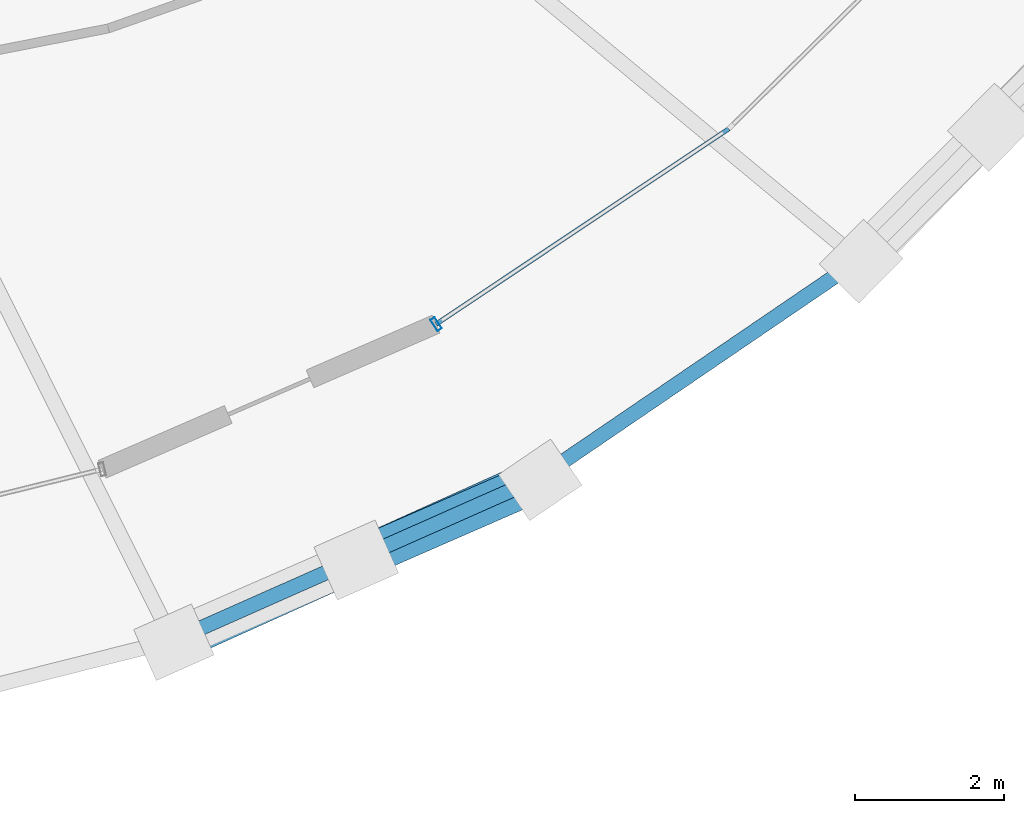
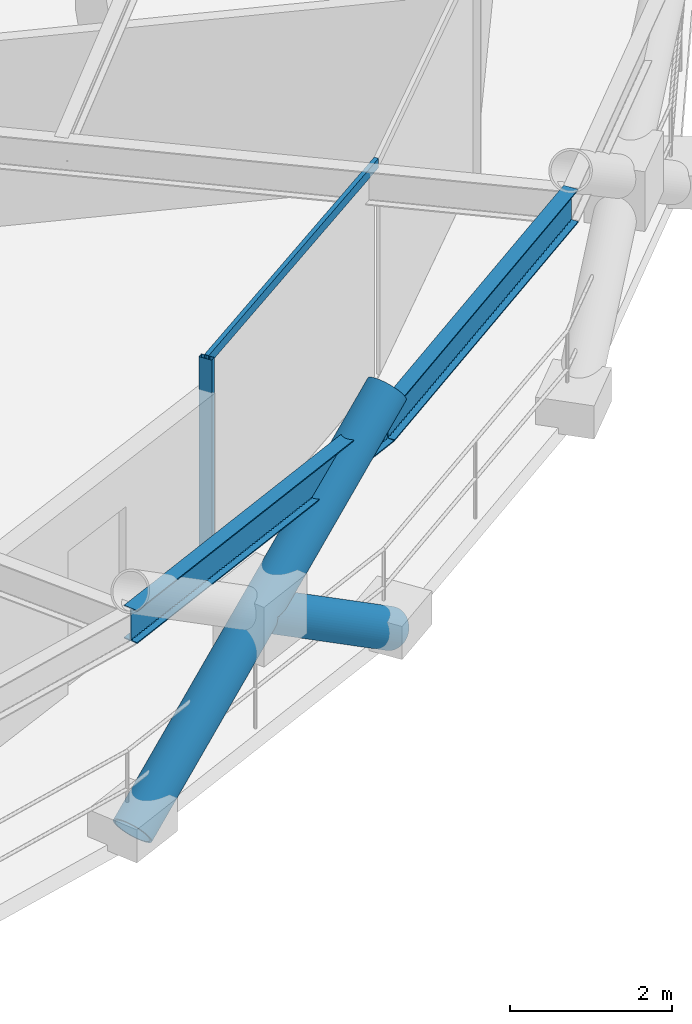
# One storey, part 5 of 21: 4 members, 2 beams, 1 element without a shape of its own.
"""IFC4 building model written with IfcOpenShell, lengths in metres."""

from ifc_helpers import new_model, si_unit, direction, frame, origin, origin_2d, place, context, subcontext, project, spatial, hollow_rectangle, hollow_circle, i_section, extrude, material, layer, layer_set, material_profile, profile_set, type_object, element, aggregate, save


model = new_model("IFC4")

# Units and contexts
model_context = context("Model", 3, precision=1e-05, world=origin(), true_north=direction((0.0, 1.0)))
body_context = subcontext(model_context, "Body", "Model", "MODEL_VIEW")
ifc_project = project(units=[si_unit("LENGTHUNIT", "METRE"), si_unit("AREAUNIT", "SQUARE_METRE"), si_unit("VOLUMEUNIT", "CUBIC_METRE"), si_unit("PLANEANGLEUNIT", "RADIAN"), si_unit("MASSUNIT", "GRAM", prefix="KILO")], contexts=[model_context])

# Site, building, storey
site_placement = place(None, origin())
site = spatial("IfcSite", under=ifc_project, at=site_placement, CompositionType="ELEMENT")
building_placement = place(site_placement, origin())
building = spatial("IfcBuilding", under=site, at=building_placement, Name="Veldorina Hangang Commons", CompositionType="ELEMENT")
storey_placement = place(building_placement, frame((0.0, 0.0, 135.199951171875)))
storey = spatial("IfcBuildingStorey", under=building, at=storey_placement, Name="L34", CompositionType="ELEMENT", Elevation=135.199951171875)

# Beams
ifc_material_1 = material(Name="Steel SM420-TMC", Category="steel")
ifc_material_profile_1 = material_profile(ifc_material_1, i_section(OverallWidth=0.199951171875, OverallDepth=0.5, WebThickness=0.010009765625, FlangeThickness=0.01611328125, FilletRadius=0.01611328125, at=origin_2d()), Name="H-500x200x10x16")
ifc_profile_set_1 = profile_set([ifc_material_profile_1], Name="Steel SM420-TMC")
beam_type = type_object("IfcBeamType", Name="BM-RB500", PredefinedType="BEAM", material=ifc_profile_set_1)
beam_1_placement = place(storey_placement, frame((42.892822265625, 2.17333984375, 3.10009765625), z_axis=(0.914091837503, 0.405507228802, 0.0), x_axis=(-0.405507228802, 0.914091837503, 0.0)))
element("IfcBeam", 1, at=beam_1_placement, inside=storey, type_object=beam_type, Name="L34 perimeter hoop ring beam 26", PredefinedType="BEAM", context=body_context, shape_type="SweptSolid", body=[
    extrude(i_section(OverallWidth=0.199951171875, OverallDepth=0.5, WebThickness=0.010009765625, FlangeThickness=0.01611328125, FilletRadius=0.01611328125, at=origin_2d()), origin(), (0.0, 0.0, 1.0), 5.383544921875),
])
beam_2_placement = place(storey_placement, frame((47.81396484375, 4.3564453125, 3.10009765625), z_axis=(0.826459852108, 0.562995659711, 0.0), x_axis=(-0.562995659711, 0.826459852108, 0.0)))
element("IfcBeam", 2, at=beam_2_placement, inside=storey, type_object=beam_type, Name="L34 perimeter hoop ring beam 27", PredefinedType="BEAM", context=body_context, shape_type="SweptSolid", body=[
    extrude(i_section(OverallWidth=0.199951171875, OverallDepth=0.5, WebThickness=0.010009765625, FlangeThickness=0.01611328125, FilletRadius=0.01611328125, at=origin_2d()), origin(), (0.0, 0.0, 1.0), 5.218994140625),
])

# Curtain wall, members
ifc_material_2 = material(Name="Glass Low-E Triple IGU", Category="glass")
ifc_layer = layer(ifc_material_2, 0.179931640625)
ifc_layer_set = layer_set([ifc_layer], Name="Glass Low-E Triple IGU")
curtain_wall_type = type_object("IfcCurtainWallType", Name="CW-SYS-Z2", PredefinedType="NOTDEFINED", material=ifc_layer_set)
curtain_wall_placement = place(storey_placement, origin())
curtain_wall = element("IfcCurtainWall", 3, at=curtain_wall_placement, inside=storey, type_object=curtain_wall_type, Name="L34 unitised curtain wall CW-L34-R2", PredefinedType="NOTDEFINED")
ifc_material_3 = material(Name="Aluminium Anodized AA6063-T6", Category="aluminium")
ifc_material_profile_2 = material_profile(ifc_material_3, hollow_rectangle(XDim=0.070068359375, YDim=0.179931640625, WallThickness=0.00390625, at=origin_2d()), Name="ALU-RHS-180x70x4")
ifc_profile_set_2 = profile_set([ifc_material_profile_2], Name="Aluminium Anodized AA6063-T6")
member_type_1 = type_object("IfcMemberType", Name="CW-MUL-180", PredefinedType="MULLION", material=ifc_profile_set_2)
member_1_placement = place(storey_placement, frame((46.434326171875, 6.430419921875, 0.0), z_axis=(0.0, 0.0, 1.0), x_axis=(0.83175070515, 0.555149317285, 0.0)))
member_1 = element("IfcMember", 4, at=member_1_placement, type_object=member_type_1, Name="CW-L34-R2 vertical mullion 1", PredefinedType="MULLION", context=body_context, shape_type="SweptSolid", body=[
    extrude(hollow_rectangle(XDim=0.070068359375, YDim=0.179931640625, WallThickness=0.00390625, at=origin_2d()), origin(), (0.0, 0.0, 1.0), 3.31005859375),
])
ifc_material_profile_3 = material_profile(ifc_material_3, hollow_rectangle(XDim=0.06005859375, YDim=0.139892578125, WallThickness=0.00341796875, at=origin_2d()), Name="ALU-RHS-140x60x3.5")
ifc_profile_set_3 = profile_set([ifc_material_profile_3], Name="Aluminium Anodized AA6063-T6")
member_type_2 = type_object("IfcMemberType", Name="CW-TRN-140", PredefinedType="USERDEFINED", material=ifc_profile_set_3)
member_2_placement = place(storey_placement, frame((46.434326171875, 6.430419921875, 3.27001953125), z_axis=(0.831772471022, 0.555116705252, 0.0), x_axis=(-0.555116705252, 0.831772471022, 0.0)))
member_2 = element("IfcMember", 5, at=member_2_placement, type_object=member_type_2, Name="CW-L34-R2 facet 1 transom 1", ObjectType="TRANSOM", PredefinedType="USERDEFINED", context=body_context, shape_type="SweptSolid", body=[
    extrude(hollow_rectangle(XDim=0.06005859375, YDim=0.139892578125, WallThickness=0.00341796875, at=origin_2d()), origin(), (0.0, 0.0, 1.0), 4.733642578125),
])
aggregate(curtain_wall, [member_1, member_2])

# Members
ifc_material_profile_4 = material_profile(ifc_material_1, hollow_circle(Radius=0.27490234375, WallThickness=0.028076171875, at=origin_2d()), Name="CHS-550x28")
ifc_profile_set_4 = profile_set([ifc_material_profile_4], Name="Steel SM420-TMC")
member_type_3 = type_object("IfcMemberType", Name="DG-CHS550", PredefinedType="BRACE", material=ifc_profile_set_4)
member_3_placement = place(storey_placement, frame((42.906982421875, 2.1494140625, 0.0), z_axis=(0.757603772447, 0.341553505577, 0.55621733774), x_axis=(-0.410996815443, 0.911636779477, 0.0)))
element("IfcMember", 6, at=member_3_placement, inside=storey, type_object=member_type_3, Name="L34 continuous perimeter diagrid brace 26", PredefinedType="BRACE", context=body_context, shape_type="SweptSolid", body=[
    extrude(hollow_circle(Radius=0.27490234375, WallThickness=0.028076171875, at=origin_2d()), origin(), (0.0, 0.0, 1.0), 6.472412109375),
])
member_4_placement = place(storey_placement, frame((47.83447265625, 4.3349609375, 0.0), z_axis=(-0.762380214081, -0.332624388281, 0.555101274992), x_axis=(0.399893338442, -0.916561682523, 0.0)))
element("IfcMember", 7, at=member_4_placement, inside=storey, type_object=member_type_3, Name="L34 split perimeter diagrid lower brace 27", PredefinedType="BRACE", context=body_context, shape_type="SweptSolid", body=[
    extrude(hollow_circle(Radius=0.27490234375, WallThickness=0.028076171875, at=origin_2d()), origin(), (0.0, 0.0, 1.0), 3.244873046875),
])

save(model, "model.ifc")
